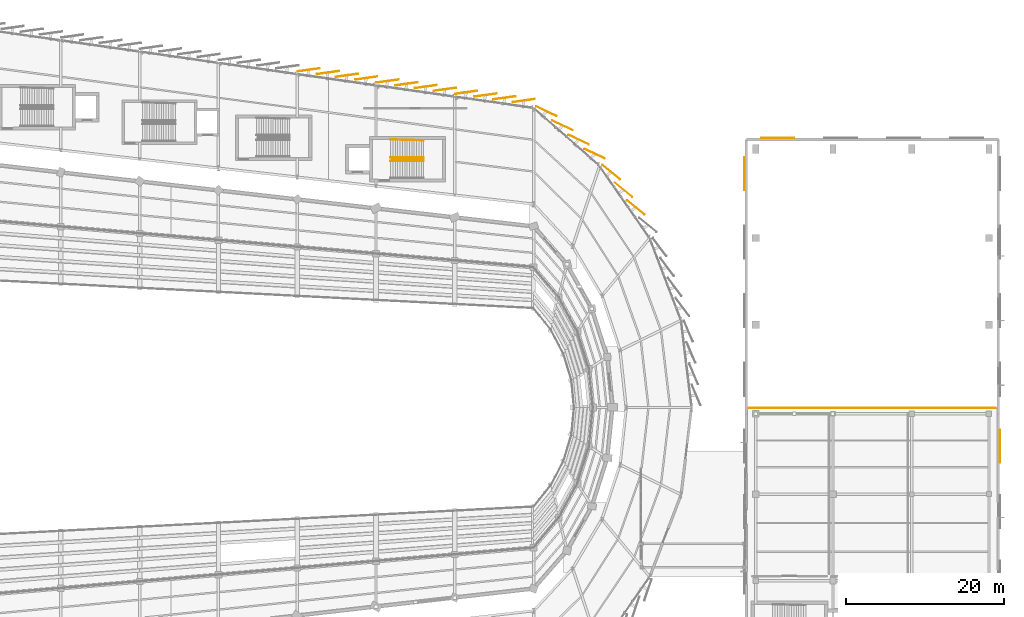
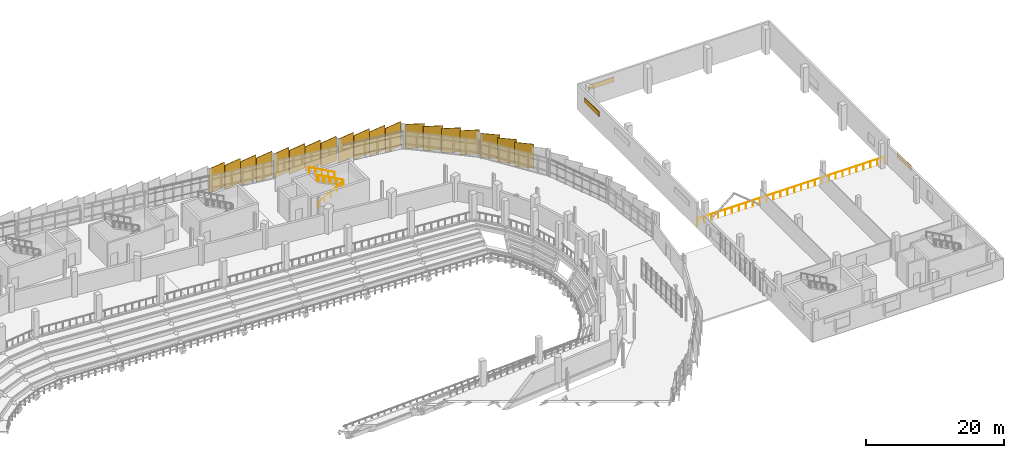
# One storey, part 133 of 134: 22 coverings, 5 railings.
"""IFC4 building model written with IfcOpenShell, lengths in metres."""

from ifc_helpers import new_model, si_unit, direction, frame, origin, origin_2d, place, context, subcontext, project, spatial, rectangle, circle, extrude, material, layer, layer_set, type_object, element, save


model = new_model("IFC4")

# Units and contexts
model_context = context("Model", 3, precision=1e-05, world=origin(), true_north=direction((0.0, 1.0)))
body_context = subcontext(model_context, "Body", "Model", "MODEL_VIEW")
ifc_project = project(units=[si_unit("LENGTHUNIT", "METRE"), si_unit("AREAUNIT", "SQUARE_METRE"), si_unit("VOLUMEUNIT", "CUBIC_METRE"), si_unit("PLANEANGLEUNIT", "RADIAN"), si_unit("MASSUNIT", "GRAM", prefix="KILO")], contexts=[model_context])

# Site, building, storey
site_placement = place(None, origin())
site = spatial("IfcSite", under=ifc_project, at=site_placement, CompositionType="ELEMENT")
building_placement = place(site_placement, origin())
building = spatial("IfcBuilding", under=site, at=building_placement, Name="Sohan Crest Arena", CompositionType="ELEMENT")
storey_placement = place(building_placement, frame((0.0, 0.0, 4.5)))
storey = spatial("IfcBuildingStorey", under=building, at=storey_placement, Name="L01", CompositionType="ELEMENT", Elevation=4.5)

# Railings
ifc_material_1 = material(Name="Powder-coated wrought steel balustrade", Category="steel")
railing_type_1 = type_object("IfcRailingType", Name="ARC-GRD-01", PredefinedType="GUARDRAIL", material=ifc_material_1)
railing_1_placement = place(storey_placement, frame((154.030029296875, 109.5, 2.25)))
element("IfcRailing", 1, at=railing_1_placement, inside=storey, type_object=railing_type_1, Name="Stair well slot guard GRD-057", PredefinedType="GUARDRAIL", context=body_context, shape_type="SweptSolid", body=[
    extrude(circle(Radius=0.02392578125, at=origin_2d()), frame((0.0, 0.0, 1.076171875), z_axis=(-0.87313487534, 0.0, 0.487478706678), x_axis=(0.0, -1.0, 0.0)), (0.0, 0.0, 1.0), 4.615478515625),
    extrude(circle(Radius=0.02099609375, at=origin_2d()), origin(), (0.0, 0.0, 1.0), 1.052001953125),
    extrude(circle(Radius=0.02099609375, at=origin_2d()), frame((-1.007568359375, 0.0, 0.5625)), (0.0, 0.0, 1.0), 1.052001953125),
    extrude(circle(Radius=0.02099609375, at=origin_2d()), frame((-2.01513671875, 0.0, 1.125)), (0.0, 0.0, 1.0), 1.052001953125),
    extrude(circle(Radius=0.02099609375, at=origin_2d()), frame((-3.0224609375, 0.0, 1.6875)), (0.0, 0.0, 1.0), 1.052001953125),
    extrude(circle(Radius=0.02099609375, at=origin_2d()), frame((-4.030029296875, 0.0, 2.25)), (0.0, 0.0, 1.0), 1.052001953125),
])
ifc_material_2 = material(Name="Laminated glass and steel sightline guard", Category="steel")
railing_type_2 = type_object("IfcRailingType", Name="ARC-GRD-02", PredefinedType="GUARDRAIL", material=ifc_material_2)
railing_2_placement = place(storey_placement, frame((195.340087890625, 77.919921875, 0.0)))
element("IfcRailing", 2, at=railing_2_placement, inside=storey, type_object=railing_type_2, Name="Practice court gallery guard GRD-300", PredefinedType="GUARDRAIL", context=body_context, shape_type="SweptSolid", body=[
    extrude(circle(Radius=0.02392578125, at=origin_2d()), frame((0.0, 0.0, 1.1259765625), z_axis=(1.0, 0.0, 0.0), x_axis=(0.0, 1.0, 0.0)), (0.0, 0.0, 1.0), 31.31982421875),
    extrude(circle(Radius=0.02099609375, at=origin_2d()), origin(), (0.0, 0.0, 1.0), 1.101806640625),
    extrude(circle(Radius=0.02099609375, at=origin_2d()), frame((1.159912109375, 0.0, 0.0)), (0.0, 0.0, 1.0), 1.101806640625),
    extrude(circle(Radius=0.02099609375, at=origin_2d()), frame((2.320068359375, 0.0, 0.0)), (0.0, 0.0, 1.0), 1.101806640625),
    extrude(circle(Radius=0.02099609375, at=origin_2d()), frame((3.47998046875, 0.0, 0.0)), (0.0, 0.0, 1.0), 1.101806640625),
    extrude(circle(Radius=0.02099609375, at=origin_2d()), frame((4.639892578125, 0.0, 0.0)), (0.0, 0.0, 1.0), 1.101806640625),
    extrude(circle(Radius=0.02099609375, at=origin_2d()), frame((5.800048828125, 0.0, 0.0)), (0.0, 0.0, 1.0), 1.101806640625),
    extrude(circle(Radius=0.02099609375, at=origin_2d()), frame((6.9599609375, 0.0, 0.0)), (0.0, 0.0, 1.0), 1.101806640625),
    extrude(circle(Radius=0.02099609375, at=origin_2d()), frame((8.119873046875, 0.0, 0.0)), (0.0, 0.0, 1.0), 1.101806640625),
    extrude(circle(Radius=0.02099609375, at=origin_2d()), frame((9.280029296875, 0.0, 0.0)), (0.0, 0.0, 1.0), 1.101806640625),
    extrude(circle(Radius=0.02099609375, at=origin_2d()), frame((10.43994140625, 0.0, 0.0)), (0.0, 0.0, 1.0), 1.101806640625),
    extrude(circle(Radius=0.02099609375, at=origin_2d()), frame((11.599853515625, 0.0, 0.0)), (0.0, 0.0, 1.0), 1.101806640625),
    extrude(circle(Radius=0.02099609375, at=origin_2d()), frame((12.760009765625, 0.0, 0.0)), (0.0, 0.0, 1.0), 1.101806640625),
    extrude(circle(Radius=0.02099609375, at=origin_2d()), frame((13.919921875, 0.0, 0.0)), (0.0, 0.0, 1.0), 1.101806640625),
    extrude(circle(Radius=0.02099609375, at=origin_2d()), frame((15.079833984375, 0.0, 0.0)), (0.0, 0.0, 1.0), 1.101806640625),
    extrude(circle(Radius=0.02099609375, at=origin_2d()), frame((16.239990234375, 0.0, 0.0)), (0.0, 0.0, 1.0), 1.101806640625),
    extrude(circle(Radius=0.02099609375, at=origin_2d()), frame((17.39990234375, 0.0, 0.0)), (0.0, 0.0, 1.0), 1.101806640625),
    extrude(circle(Radius=0.02099609375, at=origin_2d()), frame((18.559814453125, 0.0, 0.0)), (0.0, 0.0, 1.0), 1.101806640625),
    extrude(circle(Radius=0.02099609375, at=origin_2d()), frame((19.719970703125, 0.0, 0.0)), (0.0, 0.0, 1.0), 1.101806640625),
    extrude(circle(Radius=0.02099609375, at=origin_2d()), frame((20.8798828125, 0.0, 0.0)), (0.0, 0.0, 1.0), 1.101806640625),
    extrude(circle(Radius=0.02099609375, at=origin_2d()), frame((22.039794921875, 0.0, 0.0)), (0.0, 0.0, 1.0), 1.101806640625),
    extrude(circle(Radius=0.02099609375, at=origin_2d()), frame((23.199951171875, 0.0, 0.0)), (0.0, 0.0, 1.0), 1.101806640625),
    extrude(circle(Radius=0.02099609375, at=origin_2d()), frame((24.35986328125, 0.0, 0.0)), (0.0, 0.0, 1.0), 1.101806640625),
    extrude(circle(Radius=0.02099609375, at=origin_2d()), frame((25.519775390625, 0.0, 0.0)), (0.0, 0.0, 1.0), 1.101806640625),
    extrude(circle(Radius=0.02099609375, at=origin_2d()), frame((26.679931640625, 0.0, 0.0)), (0.0, 0.0, 1.0), 1.101806640625),
    extrude(circle(Radius=0.02099609375, at=origin_2d()), frame((27.83984375, 0.0, 0.0)), (0.0, 0.0, 1.0), 1.101806640625),
    extrude(circle(Radius=0.02099609375, at=origin_2d()), frame((28.999755859375, 0.0, 0.0)), (0.0, 0.0, 1.0), 1.101806640625),
    extrude(circle(Radius=0.02099609375, at=origin_2d()), frame((30.159912109375, 0.0, 0.0)), (0.0, 0.0, 1.0), 1.101806640625),
    extrude(circle(Radius=0.02099609375, at=origin_2d()), frame((31.31982421875, 0.0, 0.0)), (0.0, 0.0, 1.0), 1.101806640625),
])
ifc_material_3 = material(Name="Brushed stainless steel stair handrail", Category="steel")
railing_type_3 = type_object("IfcRailingType", Name="ARC-HR-01", PredefinedType="HANDRAIL", material=ifc_material_3)
railing_3_placement = place(storey_placement, frame((149.85009765625, 109.2900390625, 0.0)))
element("IfcRailing", 3, at=railing_3_placement, inside=storey, type_object=railing_type_3, Name="Stair pitch handrail HR-190", PredefinedType="HANDRAIL", context=body_context, shape_type="SweptSolid", body=[
    extrude(circle(Radius=0.02392578125, at=origin_2d()), frame((0.0, 0.0, 0.97607421875), z_axis=(0.881477684796, 0.0, 0.472225678258), x_axis=(0.0, 1.0, 0.0)), (0.0, 0.0, 1.0), 4.7646484375),
    extrude(circle(Radius=0.02099609375, at=origin_2d()), origin(), (0.0, 0.0, 1.0), 0.951904296875),
    extrude(circle(Radius=0.02099609375, at=origin_2d()), frame((1.050048828125, 0.0, 0.5625)), (0.0, 0.0, 1.0), 0.951904296875),
    extrude(circle(Radius=0.02099609375, at=origin_2d()), frame((2.10009765625, 0.0, 1.125)), (0.0, 0.0, 1.0), 0.951904296875),
    extrude(circle(Radius=0.02099609375, at=origin_2d()), frame((3.14990234375, 0.0, 1.6875)), (0.0, 0.0, 1.0), 0.951904296875),
    extrude(circle(Radius=0.02099609375, at=origin_2d()), frame((4.199951171875, 0.0, 2.25)), (0.0, 0.0, 1.0), 0.951904296875),
])
railing_4_placement = place(storey_placement, frame((154.050048828125, 109.7099609375, 2.25)))
element("IfcRailing", 4, at=railing_4_placement, inside=storey, type_object=railing_type_3, Name="Stair pitch handrail HR-191", PredefinedType="HANDRAIL", context=body_context, shape_type="SweptSolid", body=[
    extrude(circle(Radius=0.02392578125, at=origin_2d()), frame((0.0, 0.0, 0.97607421875), z_axis=(-0.881477684796, 0.0, 0.472225678258), x_axis=(0.0, -1.0, 0.0)), (0.0, 0.0, 1.0), 4.7646484375),
    extrude(circle(Radius=0.02099609375, at=origin_2d()), origin(), (0.0, 0.0, 1.0), 0.951904296875),
    extrude(circle(Radius=0.02099609375, at=origin_2d()), frame((-1.050048828125, 0.0, 0.5625)), (0.0, 0.0, 1.0), 0.951904296875),
    extrude(circle(Radius=0.02099609375, at=origin_2d()), frame((-2.10009765625, 0.0, 1.125)), (0.0, 0.0, 1.0), 0.951904296875),
    extrude(circle(Radius=0.02099609375, at=origin_2d()), frame((-3.14990234375, 0.0, 1.6875)), (0.0, 0.0, 1.0), 0.951904296875),
    extrude(circle(Radius=0.02099609375, at=origin_2d()), frame((-4.199951171875, 0.0, 2.25)), (0.0, 0.0, 1.0), 0.951904296875),
])
railing_5_placement = place(storey_placement, frame((154.050048828125, 111.889892578125, 2.25)))
element("IfcRailing", 5, at=railing_5_placement, inside=storey, type_object=railing_type_3, Name="Stair pitch handrail HR-192", PredefinedType="HANDRAIL", context=body_context, shape_type="SweptSolid", body=[
    extrude(circle(Radius=0.02392578125, at=origin_2d()), frame((0.0, 0.0, 0.97607421875), z_axis=(-0.881197710057, 0.025201957411, 0.472075690047), x_axis=(-0.028587973606, -0.999591280357, 0.0)), (0.0, 0.0, 1.0), 4.76611328125),
    extrude(circle(Radius=0.02099609375, at=origin_2d()), origin(), (0.0, 0.0, 1.0), 0.951904296875),
    extrude(circle(Radius=0.02099609375, at=origin_2d()), frame((-1.050048828125, 0.030029296875, 0.5625)), (0.0, 0.0, 1.0), 0.951904296875),
    extrude(circle(Radius=0.02099609375, at=origin_2d()), frame((-2.10009765625, 0.06005859375, 1.125)), (0.0, 0.0, 1.0), 0.951904296875),
    extrude(circle(Radius=0.02099609375, at=origin_2d()), frame((-3.14990234375, 0.090087890625, 1.6875)), (0.0, 0.0, 1.0), 0.951904296875),
    extrude(circle(Radius=0.02099609375, at=origin_2d()), frame((-4.199951171875, 0.1201171875, 2.25)), (0.0, 0.0, 1.0), 0.951904296875),
])

# Coverings
ifc_material_4 = material(Name="Honed dark basalt stone cladding", Category="masonry")
ifc_layer_1 = layer(ifc_material_4, 0.0849609375, Name="Honed dark basalt stone cladding")
ifc_layer_set_1 = layer_set([ifc_layer_1], Name="Honed dark basalt stone cladding")
covering_type_1 = type_object("IfcCoveringType", Name="COV-BAS", PredefinedType="CLADDING", material=ifc_layer_set_1)
for number, where, z_axis, x_axis, name in (
    (6, (227.20703125, 73.050048828125, 2.625), (0.0, 0.0, 1.0), (0.0, 1.0, 0.0), "Dark basalt facade panel DB-0796"),
    (7, (199.0, 112.20703125, 2.625), (0.0, 0.0, 1.0), (-1.0, 0.0, 0.0), "Dark basalt facade panel DB-0804"),
    (8, (194.79296875, 107.64990234375, 2.625), (0.0, 0.0, 1.0), (0.0, -1.0, 0.0), "Dark basalt facade panel DB-0805"),
):
    element("IfcCovering", number, at=place(storey_placement, frame(where, z_axis=z_axis, x_axis=x_axis)), inside=storey, type_object=covering_type_1, Name=name, PredefinedType="CLADDING", context=body_context, shape_type="SweptSolid", body=[
        extrude(rectangle(XDim=4.199951171875, YDim=0.0849609375, at=origin_2d()), origin(), (0.0, 0.0, 1.0), 0.85009765625),
    ])
ifc_material_5 = material(Name="Glazed ivory trencadis ceramic cladding", Category="masonry")
ifc_layer_2 = layer(ifc_material_5, 0.06494140625, Name="Glazed ivory trencadis ceramic cladding")
ifc_layer_set_2 = layer_set([ifc_layer_2], Name="Glazed ivory trencadis ceramic cladding")
covering_type_2 = type_object("IfcCoveringType", Name="COV-SC-IV", PredefinedType="CLADDING", material=ifc_layer_set_2)
for number, where, z_axis, x_axis, name in (
    (9, (180.967041015625, 103.383056640625, -0.2001953125), (0.0, 0.0, 1.0), (-0.774944488704, 0.632029302665, 0.0), "Rotated trencadis ceramic scale panel SC-0096"),
    (10, (179.4130859375, 105.618896484375, -0.2001953125), (0.0, 0.0, 1.0), (-0.774944488704, 0.632029302665, 0.0), "Rotated trencadis ceramic scale panel SC-0097"),
    (11, (177.85791015625, 107.85400390625, -0.2001953125), (0.0, 0.0, 1.0), (-0.774944488704, 0.632029302665, 0.0), "Rotated trencadis ceramic scale panel SC-0098"),
    (12, (175.762939453125, 110.199951171875, -0.2001953125), (0.0, 0.0, 1.0), (-0.904082549661, 0.427357863387, 0.0), "Rotated trencadis ceramic scale panel SC-0099"),
    (13, (173.716064453125, 111.99609375, -0.2001953125), (0.0, 0.0, 1.0), (-0.904082549661, 0.427357863387, 0.0), "Rotated trencadis ceramic scale panel SC-0100"),
    (14, (171.6689453125, 113.7919921875, -0.2001953125), (0.0, 0.0, 1.0), (-0.904082549661, 0.427357863387, 0.0), "Rotated trencadis ceramic scale panel SC-0101"),
    (15, (169.623046875, 115.5869140625, -0.2001953125), (0.0, 0.0, 1.0), (-0.904082549661, 0.427357863387, 0.0), "Rotated trencadis ceramic scale panel SC-0102"),
    (16, (166.760986328125, 116.944091796875, -0.2001953125), (0.0, 0.0, 1.0), (-0.990509463238, -0.137444546037, 0.0), "Rotated trencadis ceramic scale panel SC-0103"),
    (17, (164.324951171875, 117.29296875, -0.2001953125), (0.0, 0.0, 1.0), (-0.990509463238, -0.137444546037, 0.0), "Rotated trencadis ceramic scale panel SC-0104"),
    (18, (161.889892578125, 117.64111328125, -0.2001953125), (0.0, 0.0, 1.0), (-0.990509463238, -0.137444546037, 0.0), "Rotated trencadis ceramic scale panel SC-0105"),
    (19, (156.760986328125, 118.373046875, -0.2001953125), (0.0, 0.0, 1.0), (-0.990509463238, -0.137444546037, 0.0), "Rotated trencadis ceramic scale panel SC-0107"),
    (20, (154.324951171875, 118.720947265625, -0.2001953125), (0.0, 0.0, 1.0), (-0.990509463238, -0.137444546037, 0.0), "Rotated trencadis ceramic scale panel SC-0108"),
    (21, (149.4541015625, 119.4169921875, -0.2001953125), (0.0, 0.0, 1.0), (-0.990509463238, -0.137444546037, 0.0), "Rotated trencadis ceramic scale panel SC-0110"),
    (22, (146.760986328125, 119.801025390625, -0.2001953125), (0.0, 0.0, 1.0), (-0.990509463238, -0.137444546037, 0.0), "Rotated trencadis ceramic scale panel SC-0111"),
    (23, (141.889892578125, 120.498046875, -0.2001953125), (0.0, 0.0, 1.0), (-0.990509463238, -0.137444546037, 0.0), "Rotated trencadis ceramic scale panel SC-0113"),
    (24, (139.4541015625, 120.845947265625, -0.2001953125), (0.0, 0.0, 1.0), (-0.990509463238, -0.137444546037, 0.0), "Rotated trencadis ceramic scale panel SC-0114"),
):
    element("IfcCovering", number, at=place(storey_placement, frame(where, z_axis=z_axis, x_axis=x_axis)), inside=storey, type_object=covering_type_2, Name=name, PredefinedType="CLADDING", context=body_context, shape_type="SweptSolid", body=[
        extrude(rectangle(XDim=2.85009765625, YDim=0.06494140625, at=origin_2d()), origin(), (0.0, 0.0, 1.0), 4.300048828125),
    ])
ifc_material_6 = material(Name="Glazed terracotta trencadis ceramic cladding", Category="masonry")
ifc_layer_3 = layer(ifc_material_6, 0.074951171875, Name="Glazed terracotta trencadis ceramic cladding")
ifc_layer_set_3 = layer_set([ifc_layer_3], Name="Glazed terracotta trencadis ceramic cladding")
covering_type_3 = type_object("IfcCoveringType", Name="COV-SC-TC", PredefinedType="CLADDING", material=ifc_layer_set_3)
for number, where, z_axis, x_axis, name in (
    (25, (159.4541015625, 117.989013671875, -0.2001953125), (0.0, 0.0, 1.0), (-0.990509463238, -0.137444546037, 0.0), "Rotated trencadis ceramic scale panel SC-0106"),
    (26, (151.889892578125, 119.069091796875, -0.2001953125), (0.0, 0.0, 1.0), (-0.990509463238, -0.137444546037, 0.0), "Rotated trencadis ceramic scale panel SC-0109"),
    (27, (144.324951171875, 120.14990234375, -0.2001953125), (0.0, 0.0, 1.0), (-0.990509463238, -0.137444546037, 0.0), "Rotated trencadis ceramic scale panel SC-0112"),
):
    element("IfcCovering", number, at=place(storey_placement, frame(where, z_axis=z_axis, x_axis=x_axis)), inside=storey, type_object=covering_type_3, Name=name, PredefinedType="CLADDING", context=body_context, shape_type="SweptSolid", body=[
        extrude(rectangle(XDim=2.85009765625, YDim=0.074951171875, at=origin_2d()), origin(), (0.0, 0.0, 1.0), 4.300048828125),
    ])

save(model, "model.ifc")
